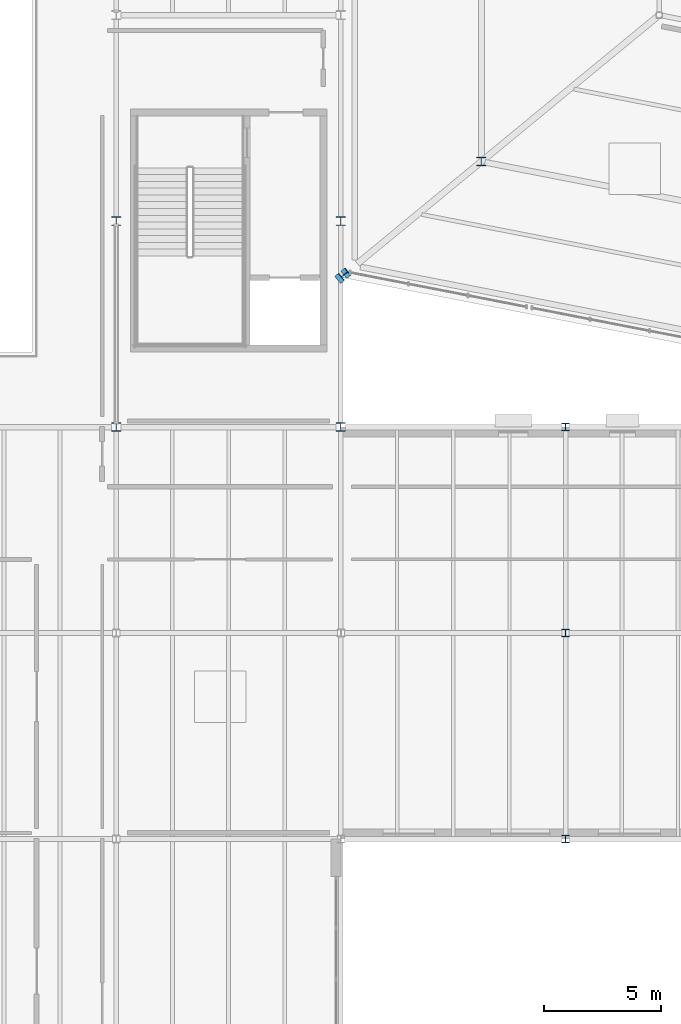
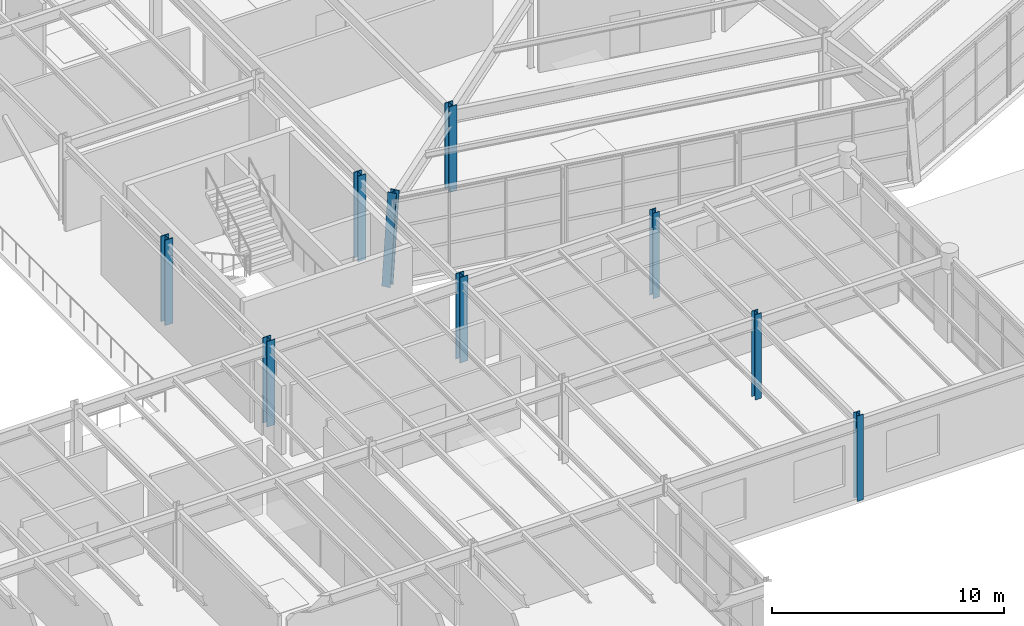
# One storey, part 7 of 77: 9 columns.
"""IFC4 building model written with IfcOpenShell, lengths in metres."""

from ifc_helpers import new_model, si_unit, direction, frame, origin, origin_2d, place, context, subcontext, project, spatial, i_section, extrude, material, material_profile, profile_set, type_object, element, save


model = new_model("IFC4")

# Units and contexts
model_context = context("Model", 3, precision=1e-05, world=origin(), true_north=direction((0.0, 1.0)))
body_context = subcontext(model_context, "Body", "Model", "MODEL_VIEW")
ifc_project = project(units=[si_unit("LENGTHUNIT", "METRE"), si_unit("AREAUNIT", "SQUARE_METRE"), si_unit("VOLUMEUNIT", "CUBIC_METRE"), si_unit("PLANEANGLEUNIT", "RADIAN"), si_unit("MASSUNIT", "GRAM", prefix="KILO")], contexts=[model_context])

# Site, building, storey
site_placement = place(None, origin())
site = spatial("IfcSite", under=ifc_project, at=site_placement, CompositionType="ELEMENT")
building_placement = place(site_placement, origin())
building = spatial("IfcBuilding", under=site, at=building_placement, Name="Sarnbrook Museum", CompositionType="ELEMENT")
storey_placement = place(building_placement, frame((0.0, 0.0, 5.60009765625)))
storey = spatial("IfcBuildingStorey", under=building, at=storey_placement, Name="L01", CompositionType="ELEMENT", Elevation=5.60009765625)

# Columns
ifc_material_1 = material(Name="Structural Steel Grade 300PLUS (AS/NZS 3679.1, fy = 280 MPa for 17 < t <= 40 mm, 300 MPa for t <= 17 mm)", Category="steel")
ifc_material_profile_1 = material_profile(ifc_material_1, i_section(OverallWidth=0.31103515625, OverallDepth=0.326904296875, WebThickness=0.015625, FlangeThickness=0.02490234375, FilletRadius=0.0166015625, at=origin_2d()), Name="310UC158")
ifc_profile_set_1 = profile_set([ifc_material_profile_1], Name="Structural Steel Grade 300PLUS (AS/NZS 3679.1, fy = 280 MPa for 17 < t <= 40 mm, 300 MPa for t <= 17 mm)")
column_type_1 = type_object("IfcColumnType", Name="COL-UC310H", PredefinedType="COLUMN", material=ifc_profile_set_1)
for number, where, z_axis, x_axis, name in (
    (1, (128.800048828125, 39.199951171875, 0.0), (0.0, 0.0, 1.0), (1.0, 0.0, 0.0), "Column 14-E L01"),
    (2, (128.800048828125, 48.0, 0.0), (0.0, 0.0, 1.0), (1.0, 0.0, 0.0), "Column 14-F L01"),
    (3, (128.800048828125, 56.800048828125, 0.0), (0.0, 0.0, 1.0), (1.0, 0.0, 0.0), "Column 14-G L01"),
):
    element("IfcColumn", number, at=place(storey_placement, frame(where, z_axis=z_axis, x_axis=x_axis)), inside=storey, type_object=column_type_1, Name=name, PredefinedType="COLUMN", context=body_context, shape_type="SweptSolid", body=[
        extrude(i_section(OverallWidth=0.31103515625, OverallDepth=0.326904296875, WebThickness=0.015625, FlangeThickness=0.02490234375, FilletRadius=0.0166015625, at=origin_2d()), origin(), (0.0, 0.0, 1.0), 4.5),
    ])
ifc_material_2 = material(Name="Structural Steel Grade 350L0 (AS/NZS 3678, fy = 340 MPa for 20 < t <= 40 mm)", Category="steel")
ifc_material_profile_2 = material_profile(ifc_material_2, i_section(OverallWidth=0.39990234375, OverallDepth=0.382080078125, WebThickness=0.02490234375, FlangeThickness=0.035888671875, at=origin_2d()), Name="400WC270")
ifc_profile_set_2 = profile_set([ifc_material_profile_2], Name="Structural Steel Grade 350L0 (AS/NZS 3678, fy = 340 MPa for 20 < t <= 40 mm)")
column_type_2 = type_object("IfcColumnType", Name="COL-WC400", PredefinedType="COLUMN", material=ifc_profile_set_2)
for number, where, z_axis, x_axis, name in (
    (4, (109.60009765625, 56.800048828125, 0.0), (0.0, 0.0, 1.0), (1.0, 0.0, 0.0), "Column 12-G L01"),
    (5, (109.60009765625, 65.60009765625, 0.0), (0.0, 0.0, 1.0), (1.0, 0.0, 0.0), "Column 12-H L01"),
    (6, (119.199951171875, 56.800048828125, 0.0), (0.0, 0.0, 1.0), (1.0, 0.0, 0.0), "Column 13-G L01"),
    (7, (119.199951171875, 65.60009765625, 0.0), (0.0, 0.0, 1.0), (1.0, 0.0, 0.0), "Column 13-H L01"),
):
    element("IfcColumn", number, at=place(storey_placement, frame(where, z_axis=z_axis, x_axis=x_axis)), inside=storey, type_object=column_type_2, Name=name, PredefinedType="COLUMN", context=body_context, shape_type="SweptSolid", body=[
        extrude(i_section(OverallWidth=0.39990234375, OverallDepth=0.382080078125, WebThickness=0.02490234375, FlangeThickness=0.035888671875, at=origin_2d()), origin(), (0.0, 0.0, 1.0), 4.5),
    ])
column_1_placement = place(storey_placement, frame((119.205322265625, 63.204345703125, 0.039794921875), z_axis=(0.129769907994, 0.106891554152, 0.985765675316), x_axis=(-0.635785996134, 0.771865381475, 0.0)))
element("IfcColumn", 8, at=column_1_placement, inside=storey, type_object=column_type_2, Name="Raking Crystal Rib Column V1 L01", PredefinedType="COLUMN", context=body_context, shape_type="SweptSolid", body=[
    extrude(i_section(OverallWidth=0.39990234375, OverallDepth=0.382080078125, WebThickness=0.02490234375, FlangeThickness=0.035888671875, at=origin_2d()), origin(), (0.0, 0.0, 1.0), 4.524658203125),
])
column_2_placement = place(storey_placement, frame((125.199951171875, 68.143310546875, 0.0), z_axis=(0.0, 0.0, 1.0), x_axis=(1.0, 0.0, 0.0)))
element("IfcColumn", 9, at=column_2_placement, inside=storey, type_object=column_type_2, Name="Crystal Hall Ring Column R1-1 L01", PredefinedType="COLUMN", context=body_context, shape_type="SweptSolid", body=[
    extrude(i_section(OverallWidth=0.39990234375, OverallDepth=0.382080078125, WebThickness=0.02490234375, FlangeThickness=0.035888671875, at=origin_2d()), origin(), (0.0, 0.0, 1.0), 4.5),
])

save(model, "model.ifc")
